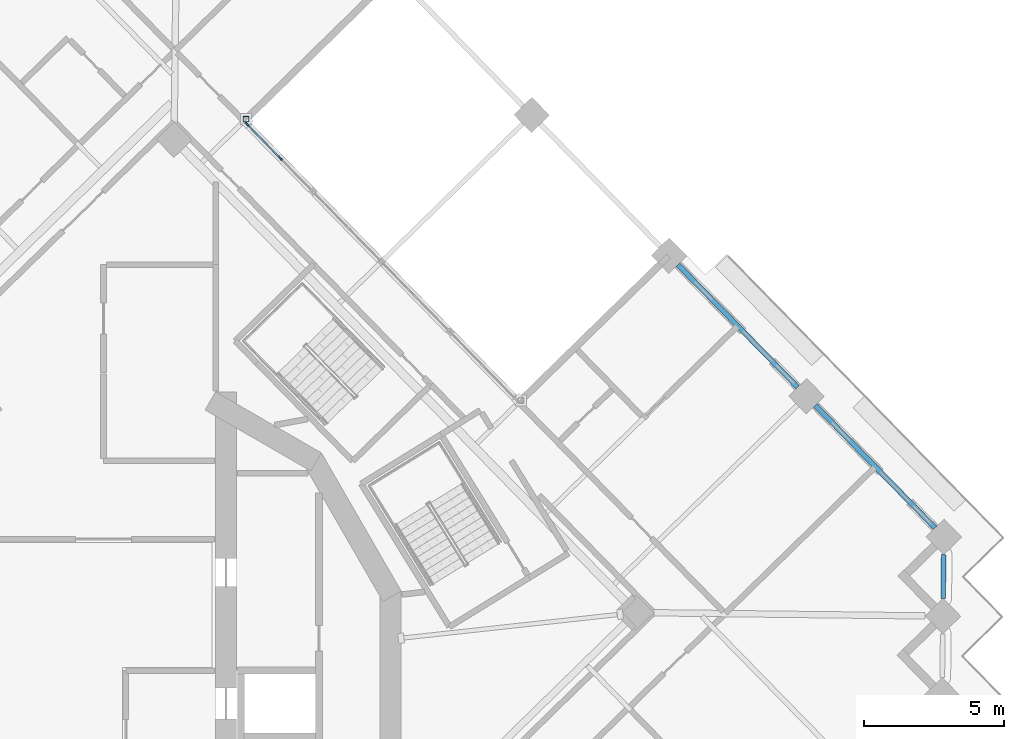
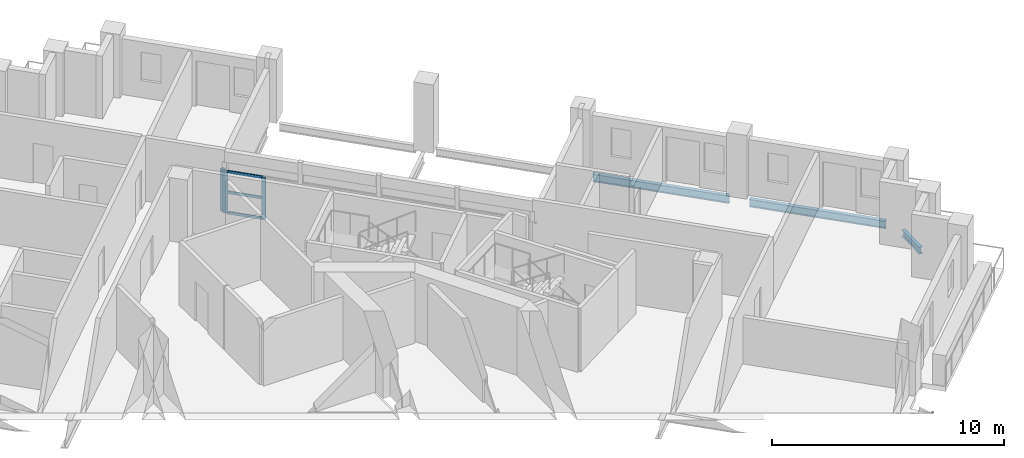
# One storey, part 4 of 20: 6 members, 3 beams, 1 element without a shape of its own.
"""IFC4 building model written with IfcOpenShell, lengths in metres."""

from ifc_helpers import new_model, si_unit, direction, frame, origin, origin_2d, place, context, subcontext, project, spatial, rectangle, hollow_rectangle, i_section, extrude, material, material_profile, profile_set, type_object, element, aggregate, save


model = new_model("IFC4")

# Units and contexts
model_context = context("Model", 3, precision=1e-05, world=origin(), true_north=direction((0.0, 1.0)))
body_context = subcontext(model_context, "Body", "Model", "MODEL_VIEW")
ifc_project = project(units=[si_unit("LENGTHUNIT", "METRE"), si_unit("AREAUNIT", "SQUARE_METRE"), si_unit("VOLUMEUNIT", "CUBIC_METRE"), si_unit("PLANEANGLEUNIT", "RADIAN"), si_unit("MASSUNIT", "GRAM", prefix="KILO")], contexts=[model_context])

# Site, building, storey
site_placement = place(None, origin())
site = spatial("IfcSite", under=ifc_project, at=site_placement, CompositionType="ELEMENT")
building_placement = place(site_placement, origin())
building = spatial("IfcBuilding", under=site, at=building_placement, Name="Cantera Rosa Tower", CompositionType="ELEMENT")
storey_placement = place(building_placement, frame((0.0, 0.0, 212.60009765625)))
storey = spatial("IfcBuildingStorey", under=building, at=storey_placement, Name="L45", CompositionType="ELEMENT", Elevation=212.60009765625)

# Curtain wall, members
ifc_material_1 = material(Name="Aluminium frame with clear glass", Category="aluminium")
curtain_wall_type = type_object("IfcCurtainWallType", Name="CW1 TERRACE POCKET GLAZING", PredefinedType="NOTDEFINED", material=ifc_material_1)
curtain_wall_placement = place(storey_placement, origin())
curtain_wall = element("IfcCurtainWall", 1, at=curtain_wall_placement, inside=storey, type_object=curtain_wall_type, Name="CW1 CW1", PredefinedType="NOTDEFINED")
ifc_material_2 = material(Name="Anodised bronze aluminium", Category="aluminium")
ifc_material_profile_1 = material_profile(ifc_material_2, rectangle(XDim=0.06005859375, YDim=0.179931640625, at=origin_2d()), Name="CW-MULLION 60x180 POCKET")
ifc_profile_set_1 = profile_set([ifc_material_profile_1], Name="Anodised bronze aluminium")
member_type_1 = type_object("IfcMemberType", Name="CW-MULLION 60x180 POCKET", PredefinedType="MULLION", material=ifc_profile_set_1)
member_1_placement = place(storey_placement, frame((6.3076171875, 18.29931640625, 0.0), z_axis=(0.0, 0.0, 1.0), x_axis=(-0.715286291058, -0.698831540376, 0.0)))
member_1 = element("IfcMember", 2, at=member_1_placement, type_object=member_type_1, Name="CW1 mullion 8", PredefinedType="MULLION", context=body_context, shape_type="SweptSolid", body=[
    extrude(rectangle(XDim=0.06005859375, YDim=0.179931640625, at=origin_2d()), origin(), (0.0, 0.0, 1.0), 2.2119140625),
])
member_2_placement = place(storey_placement, frame((5.1240234375, 19.510986328125, 0.0), z_axis=(0.0, 0.0, 1.0), x_axis=(-0.715286291058, -0.698831540376, 0.0)))
member_2 = element("IfcMember", 3, at=member_2_placement, type_object=member_type_1, Name="CW1 mullion 9", PredefinedType="MULLION", context=body_context, shape_type="SweptSolid", body=[
    extrude(rectangle(XDim=0.06005859375, YDim=0.179931640625, at=origin_2d()), origin(), (0.0, 0.0, 1.0), 2.2119140625),
])
ifc_material_3 = material(Name="Anodised bronze aluminium", Category="aluminium")
ifc_material_profile_2 = material_profile(ifc_material_3, rectangle(XDim=0.06005859375, YDim=0.139892578125, at=origin_2d()), Name="CW-TRANSOM 60x140 POCKET")
ifc_profile_set_2 = profile_set([ifc_material_profile_2], Name="Anodised bronze aluminium")
member_type_2 = type_object("IfcMemberType", Name="CW-TRANSOM 60x140 POCKET", PredefinedType="USERDEFINED", material=ifc_profile_set_2)
member_3_placement = place(storey_placement, frame((6.286865234375, 18.32080078125, 0.02978515625), z_axis=(-0.698840881454, 0.715277164747, 0.0), x_axis=(-0.715277164747, -0.698840881454, 0.0)))
member_3 = element("IfcMember", 4, at=member_3_placement, type_object=member_type_2, Name="CW1 transom 8.1", ObjectType="TRANSOM", PredefinedType="USERDEFINED", context=body_context, shape_type="SweptSolid", body=[
    extrude(rectangle(XDim=0.06005859375, YDim=0.139892578125, at=origin_2d()), origin(), (0.0, 0.0, 1.0), 1.634033203125),
])
member_4_placement = place(storey_placement, frame((6.286865234375, 18.32080078125, 1.10595703125), z_axis=(-0.698840881454, 0.715277164747, 0.0), x_axis=(-0.715277164747, -0.698840881454, 0.0)))
member_4 = element("IfcMember", 5, at=member_4_placement, type_object=member_type_2, Name="CW1 transom 8.2", ObjectType="TRANSOM", PredefinedType="USERDEFINED", context=body_context, shape_type="SweptSolid", body=[
    extrude(rectangle(XDim=0.06005859375, YDim=0.139892578125, at=origin_2d()), origin(), (0.0, 0.0, 1.0), 1.634033203125),
])
member_5_placement = place(storey_placement, frame((6.286865234375, 18.32080078125, 2.181884765625), z_axis=(-0.698840881454, 0.715277164747, 0.0), x_axis=(-0.715277164747, -0.698840881454, 0.0)))
member_5 = element("IfcMember", 6, at=member_5_placement, type_object=member_type_2, Name="CW1 transom 8.3", ObjectType="TRANSOM", PredefinedType="USERDEFINED", context=body_context, shape_type="SweptSolid", body=[
    extrude(rectangle(XDim=0.06005859375, YDim=0.139892578125, at=origin_2d()), origin(), (0.0, 0.0, 1.0), 1.634033203125),
])
aggregate(curtain_wall, [member_1, member_2, member_3, member_4, member_5])

# Member
ifc_material_4 = material(Name="Steel ASTM A992 (Fy 345 MPa)", Category="steel")
ifc_material_profile_3 = material_profile(ifc_material_4, hollow_rectangle(XDim=0.199951171875, YDim=0.199951171875, WallThickness=0.010009765625, at=origin_2d()), Name="LINTEL POST RHS 200x200x10")
ifc_profile_set_3 = profile_set([ifc_material_profile_3], Name="Steel ASTM A992 (Fy 345 MPa)")
member_type_3 = type_object("IfcMemberType", Name="LINTEL POST RHS 200x200x10", PredefinedType="USERDEFINED", material=ifc_profile_set_3)
member_6_placement = place(storey_placement, frame((5.08740234375, 19.691650390625, 0.0), z_axis=(0.0, 0.0, 1.0), x_axis=(1.0, 0.0, 0.0)))
element("IfcMember", 7, at=member_6_placement, inside=storey, type_object=member_type_3, Name="LINTEL POST L45-2", ObjectType="LINTEL POST", PredefinedType="USERDEFINED", context=body_context, shape_type="SweptSolid", body=[
    extrude(hollow_rectangle(XDim=0.199951171875, YDim=0.199951171875, WallThickness=0.010009765625, at=origin_2d()), origin(), (0.0, 0.0, 1.0), 2.2138671875),
])

# Beams
ifc_material_5 = material(Name="Steel ASTM A992 (Fy 345 MPa)", Category="steel")
ifc_material_profile_4 = material_profile(ifc_material_5, i_section(OverallWidth=0.1708984375, OverallDepth=0.35595703125, WebThickness=0.00732421875, FlangeThickness=0.01171875, FilletRadius=0.010009765625, at=origin_2d()), Name="W360X51")
ifc_profile_set_4 = profile_set([ifc_material_profile_4], Name="Steel ASTM A992 (Fy 345 MPa)")
beam_type_1 = type_object("IfcBeamType", Name="STEEL SPANDREL BEAM W360X51", PredefinedType="SPANDREL", material=ifc_profile_set_4)
beam_1_placement = place(storey_placement, frame((29.97802734375, 2.5859375, -0.427978515625), z_axis=(0.011614347636, 0.99993255119, 0.0), x_axis=(-0.99993255119, 0.011614347636, 0.0)))
element("IfcBeam", 8, at=beam_1_placement, inside=storey, type_object=beam_type_1, Name="EB-Z4-28 L45", PredefinedType="SPANDREL", context=body_context, shape_type="SweptSolid", body=[
    extrude(i_section(OverallWidth=0.1708984375, OverallDepth=0.35595703125, WebThickness=0.00732421875, FlangeThickness=0.01171875, FilletRadius=0.010009765625, at=origin_2d()), origin(), (0.0, 0.0, 1.0), 1.555419921875),
])
ifc_material_6 = material(Name="Steel ASTM A992 (Fy 345 MPa)", Category="steel")
ifc_material_profile_5 = material_profile(ifc_material_6, i_section(OverallWidth=0.177978515625, OverallDepth=0.406005859375, WebThickness=0.0078125, FlangeThickness=0.0126953125, FilletRadius=0.01025390625, at=origin_2d()), Name="W410X60")
ifc_profile_set_5 = profile_set([ifc_material_profile_5], Name="Steel ASTM A992 (Fy 345 MPa)")
beam_type_2 = type_object("IfcBeamType", Name="STEEL SPANDREL BEAM W410X60", PredefinedType="SPANDREL", material=ifc_profile_set_5)
beam_2_placement = place(storey_placement, frame((29.689208984375, 5.099609375, -0.453125), z_axis=(-0.69882117953, 0.715296413412, 0.0), x_axis=(-0.715296413412, -0.69882117953, 0.0)))
element("IfcBeam", 9, at=beam_2_placement, inside=storey, type_object=beam_type_2, Name="EB-Z4-01 L45", PredefinedType="SPANDREL", context=body_context, shape_type="SweptSolid", body=[
    extrude(i_section(OverallWidth=0.177978515625, OverallDepth=0.406005859375, WebThickness=0.0078125, FlangeThickness=0.0126953125, FilletRadius=0.01025390625, at=origin_2d()), origin(), (0.0, 0.0, 1.0), 6.1201171875),
])
beam_3_placement = place(storey_placement, frame((24.783203125, 10.120849609375, -0.453125), z_axis=(-0.698800768177, 0.715316354067, 0.0), x_axis=(-0.715316354067, -0.698800768177, 0.0)))
element("IfcBeam", 10, at=beam_3_placement, inside=storey, type_object=beam_type_2, Name="EB-Z4-02 L45", PredefinedType="SPANDREL", context=body_context, shape_type="SweptSolid", body=[
    extrude(i_section(OverallWidth=0.177978515625, OverallDepth=0.406005859375, WebThickness=0.0078125, FlangeThickness=0.0126953125, FilletRadius=0.01025390625, at=origin_2d()), origin(), (0.0, 0.0, 1.0), 6.119873046875),
])

save(model, "model.ifc")
